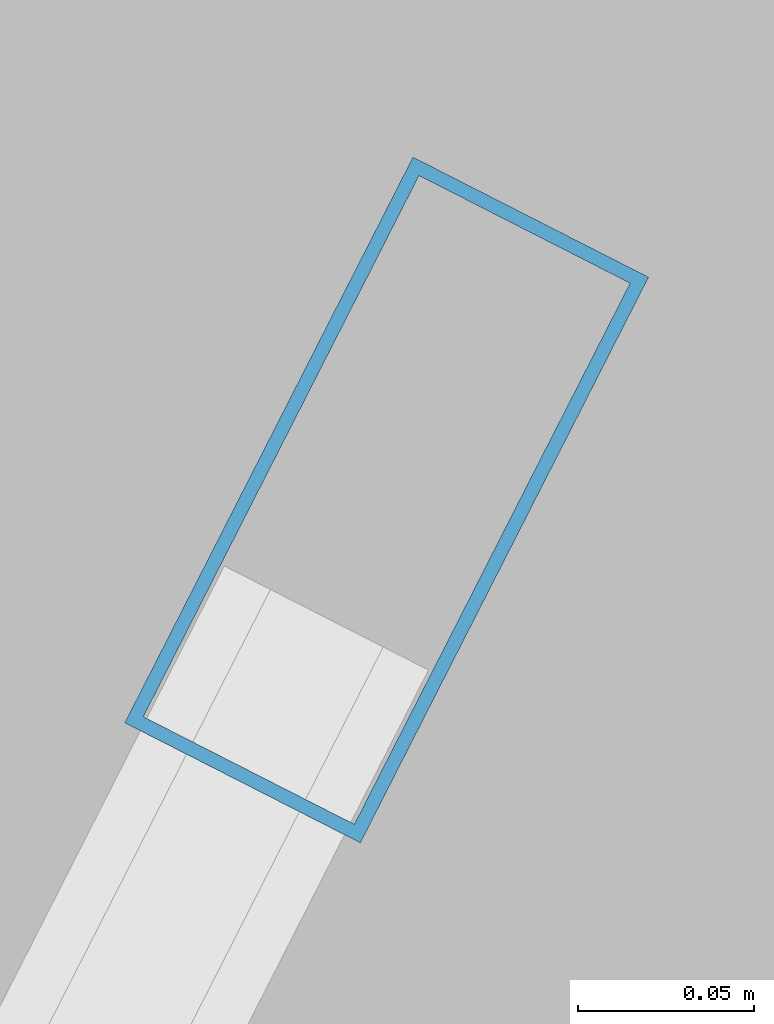
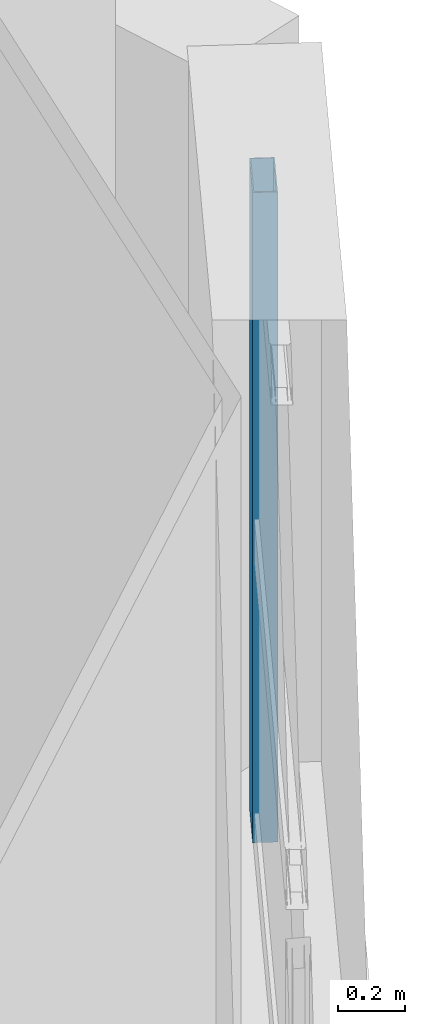
# One storey, part 14 of 25: 1 member, 1 element without a shape of its own.
"""IFC4 building model written with IfcOpenShell, lengths in metres."""

from ifc_helpers import new_model, si_unit, direction, frame, origin, origin_2d, place, context, subcontext, project, spatial, hollow_rectangle, extrude, material, layer, layer_set, material_profile, profile_set, type_object, element, aggregate, save


model = new_model("IFC4")

# Units and contexts
model_context = context("Model", 3, precision=1e-05, world=origin(), true_north=direction((0.0, 1.0)))
body_context = subcontext(model_context, "Body", "Model", "MODEL_VIEW")
ifc_project = project(units=[si_unit("LENGTHUNIT", "METRE"), si_unit("AREAUNIT", "SQUARE_METRE"), si_unit("VOLUMEUNIT", "CUBIC_METRE"), si_unit("PLANEANGLEUNIT", "RADIAN"), si_unit("MASSUNIT", "GRAM", prefix="KILO")], contexts=[model_context])

# Site, building, storey
site_placement = place(None, origin())
site = spatial("IfcSite", under=ifc_project, at=site_placement, CompositionType="ELEMENT")
building_placement = place(site_placement, origin())
building = spatial("IfcBuilding", under=site, at=building_placement, Name="Qiaolan Cultural Towers", CompositionType="ELEMENT")
storey_placement = place(building_placement, frame((0.0, 0.0, 202.39990234375)))
storey = spatial("IfcBuildingStorey", under=building, at=storey_placement, Name="L54", CompositionType="ELEMENT", Elevation=202.39990234375)

# Curtain wall, member
ifc_material_1 = material(Name="Unitized Anodized Aluminium Curtain Wall System", Category="aluminium")
ifc_layer = layer(ifc_material_1, 0.199951171875)
ifc_layer_set = layer_set([ifc_layer], Name="Unitized Anodized Aluminium Curtain Wall System")
curtain_wall_type = type_object("IfcCurtainWallType", Name="CWS-05", PredefinedType="NOTDEFINED", material=ifc_layer_set)
curtain_wall_placement = place(storey_placement, origin())
curtain_wall = element("IfcCurtainWall", 1, at=curtain_wall_placement, inside=storey, type_object=curtain_wall_type, Name="L54 T2 Chamfer Wind-Corner Feature Curtain Wall 2", PredefinedType="NOTDEFINED")
ifc_material_2 = material(Name="Extruded Aluminium 6063-T6", Category="aluminium")
ifc_material_profile = material_profile(ifc_material_2, hollow_rectangle(XDim=0.074951171875, YDim=0.179931640625, WallThickness=0.00390625, at=origin_2d()), Name="CWM-180x75x4")
ifc_profile_set = profile_set([ifc_material_profile], Name="Extruded Aluminium 6063-T6")
member_type = type_object("IfcMemberType", Name="CWS-05-MUL", PredefinedType="MULLION", material=ifc_profile_set)
member_placement = place(storey_placement, frame((109.0048828125, 19.589111328125, 0.150146484375), z_axis=(0.0, 0.0, 1.0), x_axis=(0.89100655078, -0.45399044755, 0.0)))
member = element("IfcMember", 2, at=member_placement, type_object=member_type, Name="CW-5 mullion 1", PredefinedType="MULLION", context=body_context, shape_type="SweptSolid", body=[
    extrude(hollow_rectangle(XDim=0.074951171875, YDim=0.179931640625, WallThickness=0.00390625, at=origin_2d()), origin(), (0.0, 0.0, 1.0), 2.35986328125),
])
aggregate(curtain_wall, [member])

save(model, "model.ifc")
